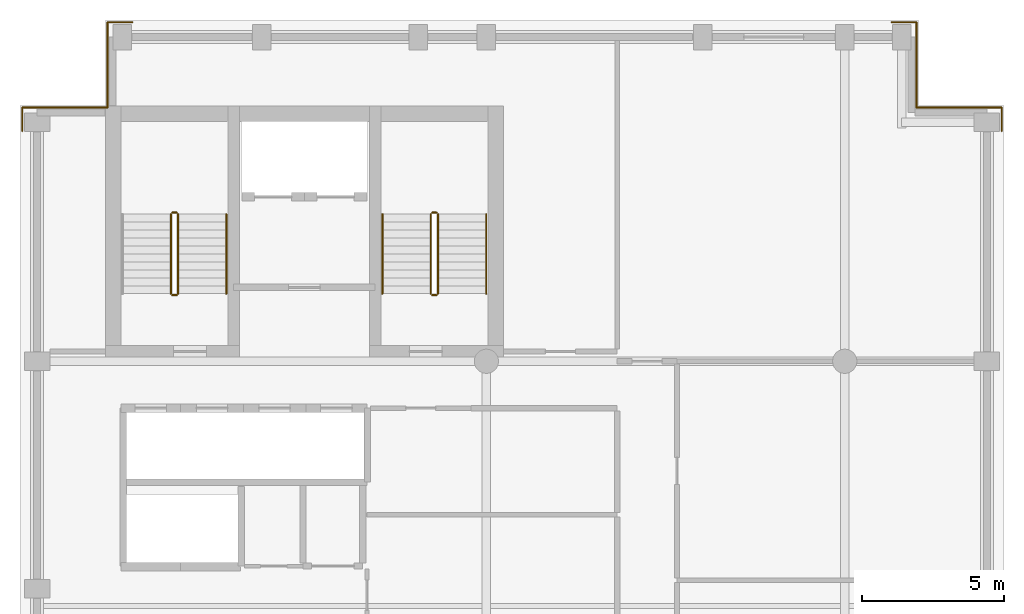
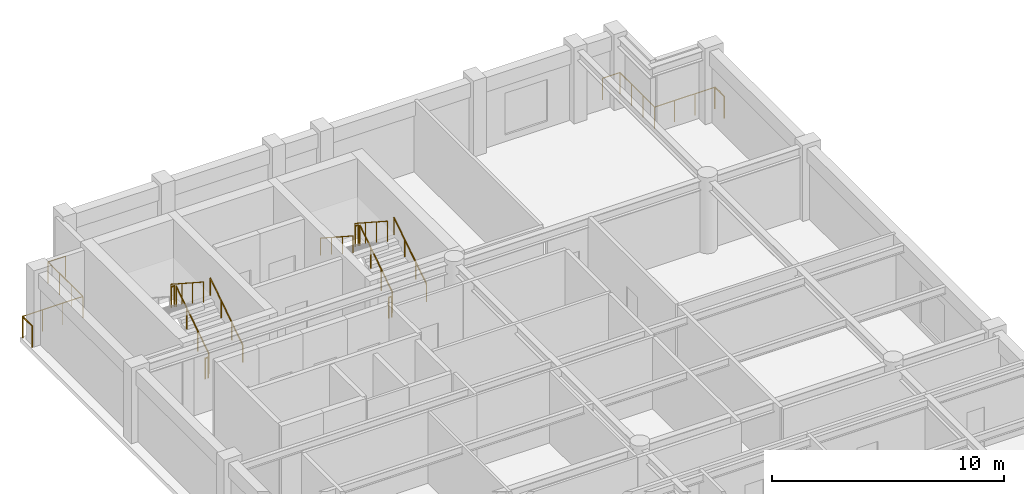
# One storey, part 6 of 6: 19 railings.
"""IFC4 building model written with IfcOpenShell, lengths in metres."""

from ifc_helpers import new_model, si_unit, direction, frame, origin, origin_2d, place, context, subcontext, project, spatial, circle, extrude, material, type_object, element, save


model = new_model("IFC4")

# Units and contexts
model_context = context("Model", 3, precision=1e-05, world=origin(), true_north=direction((0.0, 1.0)))
body_context = subcontext(model_context, "Body", "Model", "MODEL_VIEW")
ifc_project = project(units=[si_unit("LENGTHUNIT", "METRE"), si_unit("AREAUNIT", "SQUARE_METRE"), si_unit("VOLUMEUNIT", "CUBIC_METRE"), si_unit("PLANEANGLEUNIT", "RADIAN"), si_unit("MASSUNIT", "GRAM", prefix="KILO")], contexts=[model_context])

# Site, building, storey
site_placement = place(None, origin())
site = spatial("IfcSite", under=ifc_project, at=site_placement, CompositionType="ELEMENT")
building_placement = place(site_placement, origin())
building = spatial("IfcBuilding", under=site, at=building_placement, Name="Sulina Concourse Tower", CompositionType="ELEMENT")
storey_placement = place(building_placement, frame((0.0, 0.0, 309.0)))
storey = spatial("IfcBuildingStorey", under=building, at=storey_placement, Name="L75", CompositionType="ELEMENT", Elevation=309.0)

# Railings
ifc_material_1 = material(Name="Galvanised steel railing", Category="steel")
railing_type_1 = type_object("IfcRailingType", Name="Core Stair Steel Guardrail 1150mm", PredefinedType="GUARDRAIL", material=ifc_material_1)
railing_1_placement = place(storey_placement, frame((0.080078125, 42.10009765625, 0.0)))
element("IfcRailing", 1, at=railing_1_placement, inside=storey, type_object=railing_type_1, Name="L75 perimeter edge safety guardrail NW1", PredefinedType="GUARDRAIL", context=body_context, shape_type="SweptSolid", body=[
    extrude(circle(Radius=0.02392578125, at=origin_2d()), frame((0.0, 0.0, 1.1259765625), z_axis=(0.0, 1.0, 0.0), x_axis=(-1.0, 0.0, 0.0)), (0.0, 0.0, 1.0), 0.81982421875),
    extrude(circle(Radius=0.02099609375, at=origin_2d()), origin(), (0.0, 0.0, 1.0), 1.101806640625),
    extrude(circle(Radius=0.02099609375, at=origin_2d()), frame((0.0, 0.81982421875, 0.0)), (0.0, 0.0, 1.0), 1.101806640625),
])
railing_2_placement = place(storey_placement, frame((0.080078125, 42.919921875, 0.0)))
element("IfcRailing", 2, at=railing_2_placement, inside=storey, type_object=railing_type_1, Name="L75 perimeter edge safety guardrail NW2", PredefinedType="GUARDRAIL", context=body_context, shape_type="SweptSolid", body=[
    extrude(circle(Radius=0.02392578125, at=origin_2d()), frame((0.0, 0.0, 1.1259765625), z_axis=(1.0, 0.0, 0.0), x_axis=(0.0, 1.0, 0.0)), (0.0, 0.0, 1.0), 3.0),
    extrude(circle(Radius=0.02099609375, at=origin_2d()), origin(), (0.0, 0.0, 1.0), 1.101806640625),
    extrude(circle(Radius=0.02099609375, at=origin_2d()), frame((1.0, 0.0, 0.0)), (0.0, 0.0, 1.0), 1.101806640625),
    extrude(circle(Radius=0.02099609375, at=origin_2d()), frame((2.0, 0.0, 0.0)), (0.0, 0.0, 1.0), 1.101806640625),
    extrude(circle(Radius=0.02099609375, at=origin_2d()), frame((3.0, 0.0, 0.0)), (0.0, 0.0, 1.0), 1.101806640625),
])
railing_3_placement = place(storey_placement, frame((3.080078125, 42.919921875, 0.0)))
element("IfcRailing", 3, at=railing_3_placement, inside=storey, type_object=railing_type_1, Name="L75 perimeter edge safety guardrail NW3", PredefinedType="GUARDRAIL", context=body_context, shape_type="SweptSolid", body=[
    extrude(circle(Radius=0.02392578125, at=origin_2d()), frame((0.0, 0.0, 1.1259765625), z_axis=(0.0, 1.0, 0.0), x_axis=(-1.0, 0.0, 0.0)), (0.0, 0.0, 1.0), 3.0),
    extrude(circle(Radius=0.02099609375, at=origin_2d()), origin(), (0.0, 0.0, 1.0), 1.101806640625),
    extrude(circle(Radius=0.02099609375, at=origin_2d()), frame((0.0, 1.0, 0.0)), (0.0, 0.0, 1.0), 1.101806640625),
    extrude(circle(Radius=0.02099609375, at=origin_2d()), frame((0.0, 2.0, 0.0)), (0.0, 0.0, 1.0), 1.101806640625),
    extrude(circle(Radius=0.02099609375, at=origin_2d()), frame((0.0, 3.0, 0.0)), (0.0, 0.0, 1.0), 1.101806640625),
])
railing_4_placement = place(storey_placement, frame((3.080078125, 45.919921875, 0.0)))
element("IfcRailing", 4, at=railing_4_placement, inside=storey, type_object=railing_type_1, Name="L75 perimeter edge safety guardrail NW4", PredefinedType="GUARDRAIL", context=body_context, shape_type="SweptSolid", body=[
    extrude(circle(Radius=0.02392578125, at=origin_2d()), frame((0.0, 0.0, 1.1259765625), z_axis=(1.0, 0.0, 0.0), x_axis=(0.0, 1.0, 0.0)), (0.0, 0.0, 1.0), 0.869873046875),
    extrude(circle(Radius=0.02099609375, at=origin_2d()), origin(), (0.0, 0.0, 1.0), 1.101806640625),
    extrude(circle(Radius=0.02099609375, at=origin_2d()), frame((0.869873046875, 0.0, 0.0)), (0.0, 0.0, 1.0), 1.101806640625),
])
railing_5_placement = place(storey_placement, frame((30.64990234375, 45.919921875, 0.0)))
element("IfcRailing", 5, at=railing_5_placement, inside=storey, type_object=railing_type_1, Name="L75 perimeter edge safety guardrail NE1", PredefinedType="GUARDRAIL", context=body_context, shape_type="SweptSolid", body=[
    extrude(circle(Radius=0.02392578125, at=origin_2d()), frame((0.0, 0.0, 1.1259765625), z_axis=(1.0, 0.0, 0.0), x_axis=(0.0, 1.0, 0.0)), (0.0, 0.0, 1.0), 0.8701171875),
    extrude(circle(Radius=0.02099609375, at=origin_2d()), origin(), (0.0, 0.0, 1.0), 1.101806640625),
    extrude(circle(Radius=0.02099609375, at=origin_2d()), frame((0.8701171875, 0.0, 0.0)), (0.0, 0.0, 1.0), 1.101806640625),
])
railing_6_placement = place(storey_placement, frame((31.52001953125, 45.919921875, 0.0)))
element("IfcRailing", 6, at=railing_6_placement, inside=storey, type_object=railing_type_1, Name="L75 perimeter edge safety guardrail NE2", PredefinedType="GUARDRAIL", context=body_context, shape_type="SweptSolid", body=[
    extrude(circle(Radius=0.02392578125, at=origin_2d()), frame((0.0, 0.0, 1.1259765625), z_axis=(0.0, -1.0, 0.0), x_axis=(1.0, 0.0, 0.0)), (0.0, 0.0, 1.0), 3.0),
    extrude(circle(Radius=0.02099609375, at=origin_2d()), origin(), (0.0, 0.0, 1.0), 1.101806640625),
    extrude(circle(Radius=0.02099609375, at=origin_2d()), frame((0.0, -1.0, 0.0)), (0.0, 0.0, 1.0), 1.101806640625),
    extrude(circle(Radius=0.02099609375, at=origin_2d()), frame((0.0, -2.0, 0.0)), (0.0, 0.0, 1.0), 1.101806640625),
    extrude(circle(Radius=0.02099609375, at=origin_2d()), frame((0.0, -3.0, 0.0)), (0.0, 0.0, 1.0), 1.101806640625),
])
railing_7_placement = place(storey_placement, frame((31.52001953125, 42.919921875, 0.0)))
element("IfcRailing", 7, at=railing_7_placement, inside=storey, type_object=railing_type_1, Name="L75 perimeter edge safety guardrail NE3", PredefinedType="GUARDRAIL", context=body_context, shape_type="SweptSolid", body=[
    extrude(circle(Radius=0.02392578125, at=origin_2d()), frame((0.0, 0.0, 1.1259765625), z_axis=(1.0, 0.0, 0.0), x_axis=(0.0, 1.0, 0.0)), (0.0, 0.0, 1.0), 3.0),
    extrude(circle(Radius=0.02099609375, at=origin_2d()), origin(), (0.0, 0.0, 1.0), 1.101806640625),
    extrude(circle(Radius=0.02099609375, at=origin_2d()), frame((1.0, 0.0, 0.0)), (0.0, 0.0, 1.0), 1.101806640625),
    extrude(circle(Radius=0.02099609375, at=origin_2d()), frame((2.0, 0.0, 0.0)), (0.0, 0.0, 1.0), 1.101806640625),
    extrude(circle(Radius=0.02099609375, at=origin_2d()), frame((3.0, 0.0, 0.0)), (0.0, 0.0, 1.0), 1.101806640625),
])
railing_8_placement = place(storey_placement, frame((34.52001953125, 42.919921875, 0.0)))
element("IfcRailing", 8, at=railing_8_placement, inside=storey, type_object=railing_type_1, Name="L75 perimeter edge safety guardrail NE4", PredefinedType="GUARDRAIL", context=body_context, shape_type="SweptSolid", body=[
    extrude(circle(Radius=0.02392578125, at=origin_2d()), frame((0.0, 0.0, 1.1259765625), z_axis=(0.0, -1.0, 0.0), x_axis=(1.0, 0.0, 0.0)), (0.0, 0.0, 1.0), 0.81982421875),
    extrude(circle(Radius=0.02099609375, at=origin_2d()), origin(), (0.0, 0.0, 1.0), 1.101806640625),
    extrude(circle(Radius=0.02099609375, at=origin_2d()), frame((0.0, -0.81982421875, 0.0)), (0.0, 0.0, 1.0), 1.101806640625),
])
railing_9_placement = place(storey_placement, frame((5.554931640625, 36.375, 0.181884765625)))
element("IfcRailing", 9, at=railing_9_placement, inside=storey, type_object=railing_type_1, Name="L75 ST-1 stair guard 1", PredefinedType="GUARDRAIL", context=body_context, shape_type="SweptSolid", body=[
    extrude(circle(Radius=0.02392578125, at=origin_2d()), frame((0.0, 0.0, 1.076171875), z_axis=(0.0, 0.838705829183, 0.544584733623), x_axis=(-1.0, 0.0, 0.0)), (0.0, 0.0, 1.0), 3.338623046875),
    extrude(circle(Radius=0.02099609375, at=origin_2d()), origin(), (0.0, 0.0, 1.0), 1.052001953125),
    extrude(circle(Radius=0.02099609375, at=origin_2d()), frame((0.0, 0.933349609375, 0.60595703125)), (0.0, 0.0, 1.0), 1.052001953125),
    extrude(circle(Radius=0.02099609375, at=origin_2d()), frame((0.0, 1.86669921875, 1.212158203125)), (0.0, 0.0, 1.0), 1.052001953125),
    extrude(circle(Radius=0.02099609375, at=origin_2d()), frame((0.0, 2.800048828125, 1.818115234375)), (0.0, 0.0, 1.0), 1.052001953125),
])
railing_10_placement = place(storey_placement, frame((5.5048828125, 39.22509765625, 2.0)))
element("IfcRailing", 10, at=railing_10_placement, inside=storey, type_object=railing_type_1, Name="L75 ST-1 stair guard 2", PredefinedType="GUARDRAIL", context=body_context, shape_type="SweptSolid", body=[
    extrude(circle(Radius=0.02392578125, at=origin_2d()), frame((0.0, 0.0, 1.076171875), z_axis=(-1.0, 0.0, 0.0), x_axis=(0.0, -1.0, 0.0)), (0.0, 0.0, 1.0), 0.14990234375),
    extrude(circle(Radius=0.02099609375, at=origin_2d()), origin(), (0.0, 0.0, 1.0), 1.052001953125),
    extrude(circle(Radius=0.02099609375, at=origin_2d()), frame((-0.14990234375, 0.0, 0.0)), (0.0, 0.0, 1.0), 1.052001953125),
])
railing_11_placement = place(storey_placement, frame((5.304931640625, 39.175048828125, 2.181884765625)))
element("IfcRailing", 11, at=railing_11_placement, inside=storey, type_object=railing_type_1, Name="L75 ST-1 stair guard 3", PredefinedType="GUARDRAIL", context=body_context, shape_type="SweptSolid", body=[
    extrude(circle(Radius=0.02392578125, at=origin_2d()), frame((0.0, 0.0, 1.076171875), z_axis=(0.0, -0.838705829183, 0.544584733623), x_axis=(1.0, 0.0, 0.0)), (0.0, 0.0, 1.0), 3.338623046875),
    extrude(circle(Radius=0.02099609375, at=origin_2d()), origin(), (0.0, 0.0, 1.0), 1.052001953125),
    extrude(circle(Radius=0.02099609375, at=origin_2d()), frame((0.0, -0.933349609375, 0.60595703125)), (0.0, 0.0, 1.0), 1.052001953125),
    extrude(circle(Radius=0.02099609375, at=origin_2d()), frame((0.0, -1.86669921875, 1.212158203125)), (0.0, 0.0, 1.0), 1.052001953125),
    extrude(circle(Radius=0.02099609375, at=origin_2d()), frame((0.0, -2.800048828125, 1.818115234375)), (0.0, 0.0, 1.0), 1.052001953125),
])
railing_12_placement = place(storey_placement, frame((5.5048828125, 36.324951171875, 0.0)))
element("IfcRailing", 12, at=railing_12_placement, inside=storey, type_object=railing_type_1, Name="L75 ST-1 stair guard 4", PredefinedType="GUARDRAIL", context=body_context, shape_type="SweptSolid", body=[
    extrude(circle(Radius=0.02392578125, at=origin_2d()), frame((0.0, 0.0, 1.076171875), z_axis=(-1.0, 0.0, 0.0), x_axis=(0.0, -1.0, 0.0)), (0.0, 0.0, 1.0), 0.14990234375),
    extrude(circle(Radius=0.02099609375, at=origin_2d()), origin(), (0.0, 0.0, 1.0), 1.052001953125),
    extrude(circle(Radius=0.02099609375, at=origin_2d()), frame((-0.14990234375, 0.0, 0.0)), (0.0, 0.0, 1.0), 1.052001953125),
])
railing_13_placement = place(storey_placement, frame((14.695068359375, 36.375, 0.181884765625)))
element("IfcRailing", 13, at=railing_13_placement, inside=storey, type_object=railing_type_1, Name="L75 ST-2 stair guard 1", PredefinedType="GUARDRAIL", context=body_context, shape_type="SweptSolid", body=[
    extrude(circle(Radius=0.02392578125, at=origin_2d()), frame((0.0, 0.0, 1.076171875), z_axis=(0.0, 0.838705829183, 0.544584733623), x_axis=(-1.0, 0.0, 0.0)), (0.0, 0.0, 1.0), 3.338623046875),
    extrude(circle(Radius=0.02099609375, at=origin_2d()), origin(), (0.0, 0.0, 1.0), 1.052001953125),
    extrude(circle(Radius=0.02099609375, at=origin_2d()), frame((0.0, 0.933349609375, 0.60595703125)), (0.0, 0.0, 1.0), 1.052001953125),
    extrude(circle(Radius=0.02099609375, at=origin_2d()), frame((0.0, 1.86669921875, 1.212158203125)), (0.0, 0.0, 1.0), 1.052001953125),
    extrude(circle(Radius=0.02099609375, at=origin_2d()), frame((0.0, 2.800048828125, 1.818115234375)), (0.0, 0.0, 1.0), 1.052001953125),
])
railing_14_placement = place(storey_placement, frame((14.64501953125, 39.22509765625, 2.0)))
element("IfcRailing", 14, at=railing_14_placement, inside=storey, type_object=railing_type_1, Name="L75 ST-2 stair guard 2", PredefinedType="GUARDRAIL", context=body_context, shape_type="SweptSolid", body=[
    extrude(circle(Radius=0.02392578125, at=origin_2d()), frame((0.0, 0.0, 1.076171875), z_axis=(-1.0, 0.0, 0.0), x_axis=(0.0, -1.0, 0.0)), (0.0, 0.0, 1.0), 0.14990234375),
    extrude(circle(Radius=0.02099609375, at=origin_2d()), origin(), (0.0, 0.0, 1.0), 1.052001953125),
    extrude(circle(Radius=0.02099609375, at=origin_2d()), frame((-0.14990234375, 0.0, 0.0)), (0.0, 0.0, 1.0), 1.052001953125),
])
railing_15_placement = place(storey_placement, frame((14.445068359375, 39.175048828125, 2.181884765625)))
element("IfcRailing", 15, at=railing_15_placement, inside=storey, type_object=railing_type_1, Name="L75 ST-2 stair guard 3", PredefinedType="GUARDRAIL", context=body_context, shape_type="SweptSolid", body=[
    extrude(circle(Radius=0.02392578125, at=origin_2d()), frame((0.0, 0.0, 1.076171875), z_axis=(0.0, -0.838705829183, 0.544584733623), x_axis=(1.0, 0.0, 0.0)), (0.0, 0.0, 1.0), 3.338623046875),
    extrude(circle(Radius=0.02099609375, at=origin_2d()), origin(), (0.0, 0.0, 1.0), 1.052001953125),
    extrude(circle(Radius=0.02099609375, at=origin_2d()), frame((0.0, -0.933349609375, 0.60595703125)), (0.0, 0.0, 1.0), 1.052001953125),
    extrude(circle(Radius=0.02099609375, at=origin_2d()), frame((0.0, -1.86669921875, 1.212158203125)), (0.0, 0.0, 1.0), 1.052001953125),
    extrude(circle(Radius=0.02099609375, at=origin_2d()), frame((0.0, -2.800048828125, 1.818115234375)), (0.0, 0.0, 1.0), 1.052001953125),
])
railing_16_placement = place(storey_placement, frame((14.64501953125, 36.324951171875, 0.0)))
element("IfcRailing", 16, at=railing_16_placement, inside=storey, type_object=railing_type_1, Name="L75 ST-2 stair guard 4", PredefinedType="GUARDRAIL", context=body_context, shape_type="SweptSolid", body=[
    extrude(circle(Radius=0.02392578125, at=origin_2d()), frame((0.0, 0.0, 1.076171875), z_axis=(-1.0, 0.0, 0.0), x_axis=(0.0, -1.0, 0.0)), (0.0, 0.0, 1.0), 0.14990234375),
    extrude(circle(Radius=0.02099609375, at=origin_2d()), origin(), (0.0, 0.0, 1.0), 1.052001953125),
    extrude(circle(Radius=0.02099609375, at=origin_2d()), frame((-0.14990234375, 0.0, 0.0)), (0.0, 0.0, 1.0), 1.052001953125),
])
ifc_material_2 = material(Name="Galvanised steel railing", Category="steel")
railing_type_2 = type_object("IfcRailingType", Name="Stair Wall Steel Handrail 920mm", PredefinedType="HANDRAIL", material=ifc_material_2)
for number, where, name in (
    (17, (7.2548828125, 36.375, 0.181884765625), "L75 ST-1 stair handrail 1"),
    (18, (16.39501953125, 36.375, 0.181884765625), "L75 ST-2 stair handrail 1"),
):
    element("IfcRailing", number, at=place(storey_placement, frame(where)), inside=storey, type_object=railing_type_2, Name=name, PredefinedType="HANDRAIL", context=body_context, shape_type="SweptSolid", body=[
        extrude(circle(Radius=0.02392578125, at=origin_2d()), frame((0.0, 0.0, 0.89599609375), z_axis=(0.0, 0.838705829183, 0.544584733623), x_axis=(-1.0, 0.0, 0.0)), (0.0, 0.0, 1.0), 3.338623046875),
        extrude(circle(Radius=0.02099609375, at=origin_2d()), origin(), (0.0, 0.0, 1.0), 0.871826171875),
        extrude(circle(Radius=0.02099609375, at=origin_2d()), frame((0.0, 0.933349609375, 0.60595703125)), (0.0, 0.0, 1.0), 0.871826171875),
        extrude(circle(Radius=0.02099609375, at=origin_2d()), frame((0.0, 1.86669921875, 1.212158203125)), (0.0, 0.0, 1.0), 0.871826171875),
        extrude(circle(Radius=0.02099609375, at=origin_2d()), frame((0.0, 2.800048828125, 1.818115234375)), (0.0, 0.0, 1.0), 0.871826171875),
    ])
railing_17_placement = place(storey_placement, frame((12.7451171875, 39.175048828125, 2.181884765625)))
element("IfcRailing", 19, at=railing_17_placement, inside=storey, type_object=railing_type_2, Name="L75 ST-2 stair handrail 2", PredefinedType="HANDRAIL", context=body_context, shape_type="SweptSolid", body=[
    extrude(circle(Radius=0.02392578125, at=origin_2d()), frame((0.0, 0.0, 0.89599609375), z_axis=(0.0, -0.838705829183, 0.544584733623), x_axis=(1.0, 0.0, 0.0)), (0.0, 0.0, 1.0), 3.338623046875),
    extrude(circle(Radius=0.02099609375, at=origin_2d()), origin(), (0.0, 0.0, 1.0), 0.871826171875),
    extrude(circle(Radius=0.02099609375, at=origin_2d()), frame((0.0, -0.933349609375, 0.60595703125)), (0.0, 0.0, 1.0), 0.871826171875),
    extrude(circle(Radius=0.02099609375, at=origin_2d()), frame((0.0, -1.86669921875, 1.212158203125)), (0.0, 0.0, 1.0), 0.871826171875),
    extrude(circle(Radius=0.02099609375, at=origin_2d()), frame((0.0, -2.800048828125, 1.818115234375)), (0.0, 0.0, 1.0), 0.871826171875),
])

save(model, "model.ifc")
